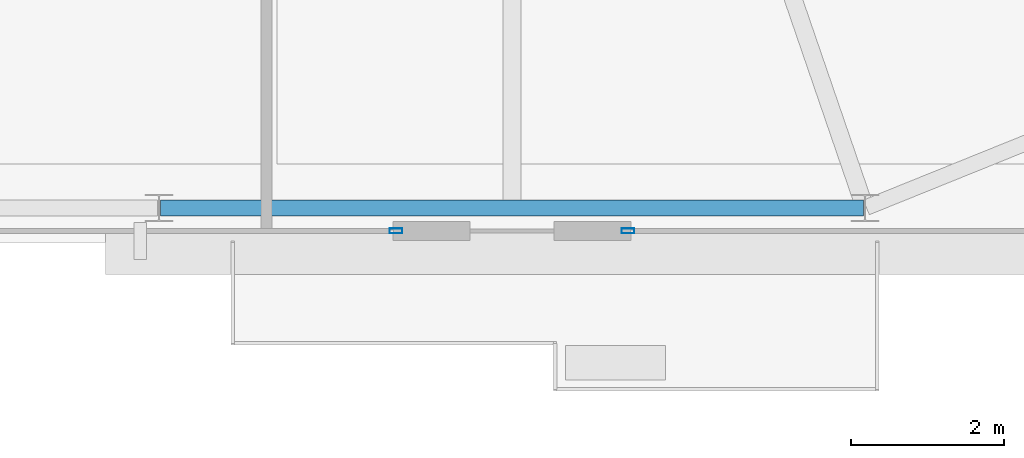
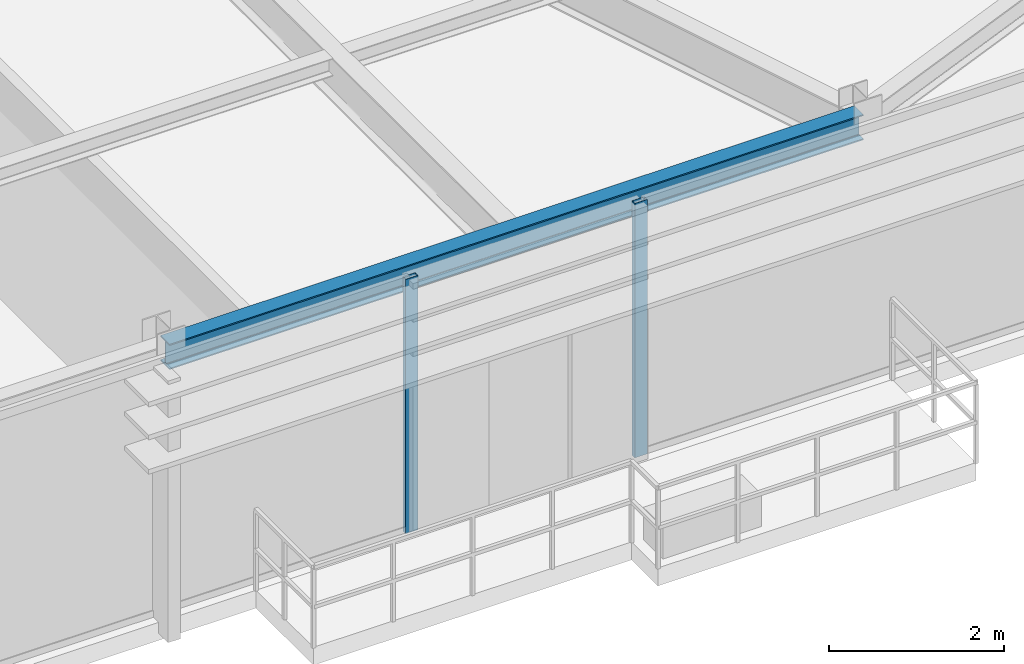
# One storey, part 12 of 30: 2 members, 1 beam, 2 elements without a shape of their own.
"""IFC4 building model written with IfcOpenShell, lengths in metres."""

from ifc_helpers import new_model, si_unit, direction, frame, origin, origin_2d, place, context, subcontext, project, spatial, hollow_rectangle, i_section, extrude, source, transform, mapped, material, layer, layer_set, material_profile, profile_set, type_object, type_shapes, element, aggregate, save


model = new_model("IFC4")

# Units and contexts
model_context = context("Model", 3, precision=1e-05, world=origin(), true_north=direction((0.0, 1.0)))
body_context = subcontext(model_context, "Body", "Model", "MODEL_VIEW")
ifc_project = project(units=[si_unit("LENGTHUNIT", "METRE"), si_unit("AREAUNIT", "SQUARE_METRE"), si_unit("VOLUMEUNIT", "CUBIC_METRE"), si_unit("PLANEANGLEUNIT", "RADIAN"), si_unit("MASSUNIT", "GRAM", prefix="KILO")], contexts=[model_context])

# Site, building, storey
site_placement = place(None, origin())
site = spatial("IfcSite", under=ifc_project, at=site_placement, CompositionType="ELEMENT")
building_placement = place(site_placement, origin())
building = spatial("IfcBuilding", under=site, at=building_placement, Name="Varnel Quay Broadcast Tower", CompositionType="ELEMENT")
storey_placement = place(building_placement, frame((0.0, 0.0, 247.0)))
storey = spatial("IfcBuildingStorey", under=building, at=storey_placement, Name="L61", CompositionType="ELEMENT", Elevation=247.0)

# Beam
ifc_material_1 = material(Name="Structural Steel CSA G40.21 350W", Category="steel")
ifc_material_profile_1 = material_profile(ifc_material_1, i_section(OverallWidth=0.205078125, OverallDepth=0.35400390625, WebThickness=0.009521484375, FlangeThickness=0.016845703125, FilletRadius=0.012939453125, at=origin_2d()), Name="W360X79")
ifc_profile_set_1 = profile_set([ifc_material_profile_1], Name="Structural Steel CSA G40.21 350W")
beam_type = type_object("IfcBeamType", Name="Beam_W360X79", PredefinedType="SPANDREL", material=ifc_profile_set_1)
shared_shape_1 = source(origin(), body_context, "Body", "SweptSolid", [
    extrude(i_section(OverallWidth=0.205078125, OverallDepth=0.35400390625, WebThickness=0.009521484375, FlangeThickness=0.016845703125, FilletRadius=0.012939453125, at=origin_2d()), origin(), (0.0, 0.0, 1.0), 9.159912109375),
])
type_shapes(beam_type, [shared_shape_1])
beam_placement = place(storey_placement, frame((38.6201171875, 10.64990234375, 3.373046875), z_axis=(1.0, 0.0, 0.0), x_axis=(0.0, 1.0, 0.0)))
element("IfcBeam", 1, at=beam_placement, inside=storey, type_object=beam_type, Name="L61 South Spandrel TC-S3-TC-S4", PredefinedType="SPANDREL", context=body_context, shape_type="MappedRepresentation", body=[
    mapped(shared_shape_1, transform((0.0, 0.0, 0.0), x_axis=(1.0, 0.0, 0.0), y_axis=(0.0, 1.0, 0.0), z_axis=(0.0, 0.0, 1.0), scale=1.0)),
])

# Curtain wall, member
ifc_material_2 = material(Name="Anodised Bronze Aluminium 6063-T6", Category="aluminium")
ifc_layer = layer(ifc_material_2, 0.18994140625, Name="Anodised Bronze Aluminium 6063-T6")
ifc_layer_set = layer_set([ifc_layer], Name="Anodised Bronze Aluminium 6063-T6")
curtain_wall_type = type_object("IfcCurtainWallType", Name="CW_UpperTower", PredefinedType="NOTDEFINED", material=ifc_layer_set)
curtain_wall_1_placement = place(storey_placement, origin())
curtain_wall_1 = element("IfcCurtainWall", 2, at=curtain_wall_1_placement, inside=storey, type_object=curtain_wall_type, Name="L61 South Unitised Curtain Wall 2", PredefinedType="NOTDEFINED")
ifc_material_profile_2 = material_profile(ifc_material_2, hollow_rectangle(XDim=0.06494140625, YDim=0.1650390625, WallThickness=0.00341796875, at=origin_2d()), Name="ALU65X165X3.5")
ifc_profile_set_2 = profile_set([ifc_material_profile_2], Name="Anodised Bronze Aluminium 6063-T6")
member_type = type_object("IfcMemberType", Name="Mull_CWS-03", PredefinedType="MULLION", material=ifc_profile_set_2)
shared_shape_2 = source(origin(), body_context, "Body", "SweptSolid", [
    extrude(hollow_rectangle(XDim=0.06494140625, YDim=0.1650390625, WallThickness=0.00341796875, at=origin_2d()), origin(), (0.0, 0.0, 1.0), 3.550048828125),
])
type_shapes(member_type, [shared_shape_2])
member_1_placement = place(storey_placement, frame((41.6875, 10.35009765625, 0.0), z_axis=(0.0, 0.0, 1.0), x_axis=(0.0, 1.0, 0.0)))
member_1 = element("IfcMember", 3, at=member_1_placement, type_object=member_type, Name="CWS-03 mullion 2", PredefinedType="MULLION", context=body_context, shape_type="MappedRepresentation", body=[
    mapped(shared_shape_2, transform((0.0, 0.0, 0.0), x_axis=(1.0, 0.0, 0.0), y_axis=(0.0, 1.0, 0.0), z_axis=(0.0, 0.0, 1.0), scale=1.0)),
])
aggregate(curtain_wall_1, [member_1])

curtain_wall_2_placement = place(storey_placement, origin())
curtain_wall_2 = element("IfcCurtainWall", 4, at=curtain_wall_2_placement, inside=storey, type_object=curtain_wall_type, Name="L61 South Unitised Curtain Wall 3", PredefinedType="NOTDEFINED")
member_2_placement = place(storey_placement, frame((44.71240234375, 10.35009765625, 0.0), z_axis=(0.0, 0.0, 1.0), x_axis=(0.0, 1.0, 0.0)))
member_2 = element("IfcMember", 5, at=member_2_placement, type_object=member_type, Name="CWS-03 mullion 1", PredefinedType="MULLION", context=body_context, shape_type="MappedRepresentation", body=[
    mapped(shared_shape_2, transform((0.0, 0.0, 0.0), x_axis=(1.0, 0.0, 0.0), y_axis=(0.0, 1.0, 0.0), z_axis=(0.0, 0.0, 1.0), scale=1.0)),
])
aggregate(curtain_wall_2, [member_2])

save(model, "model.ifc")
